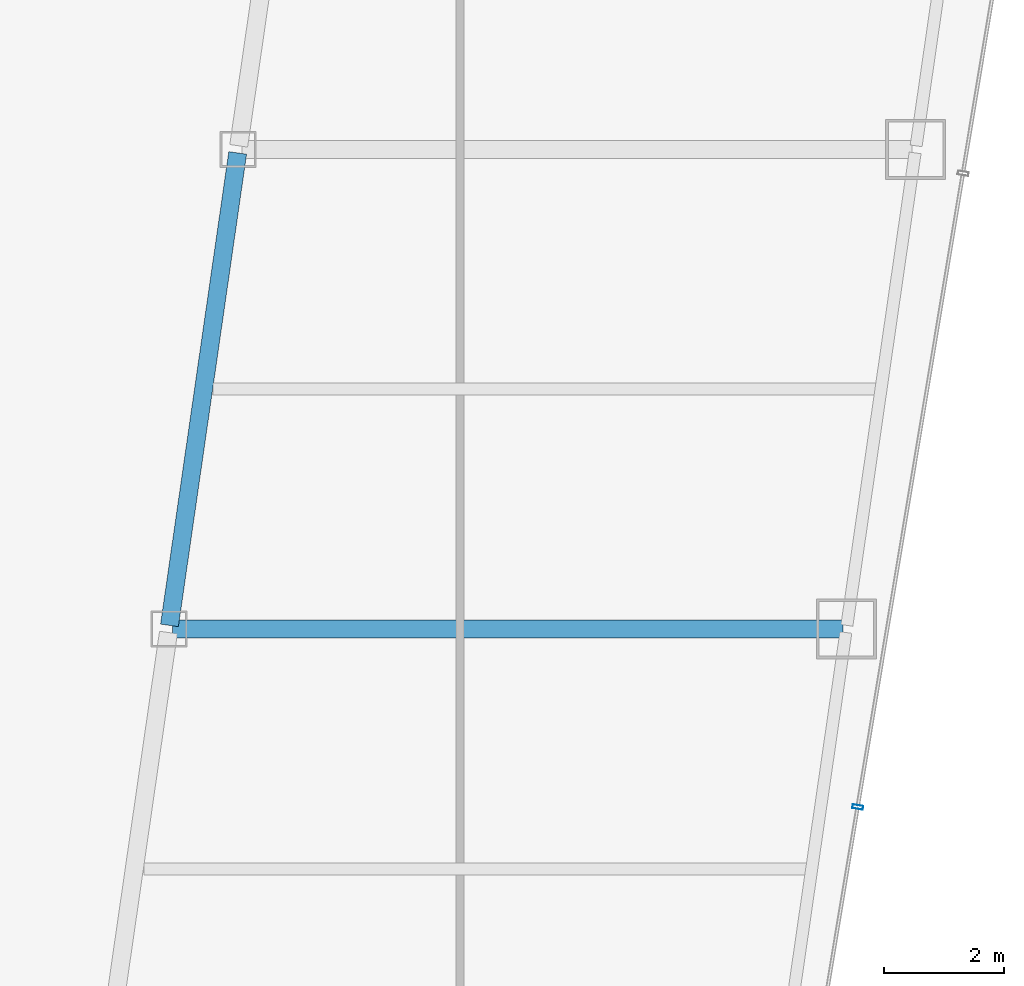
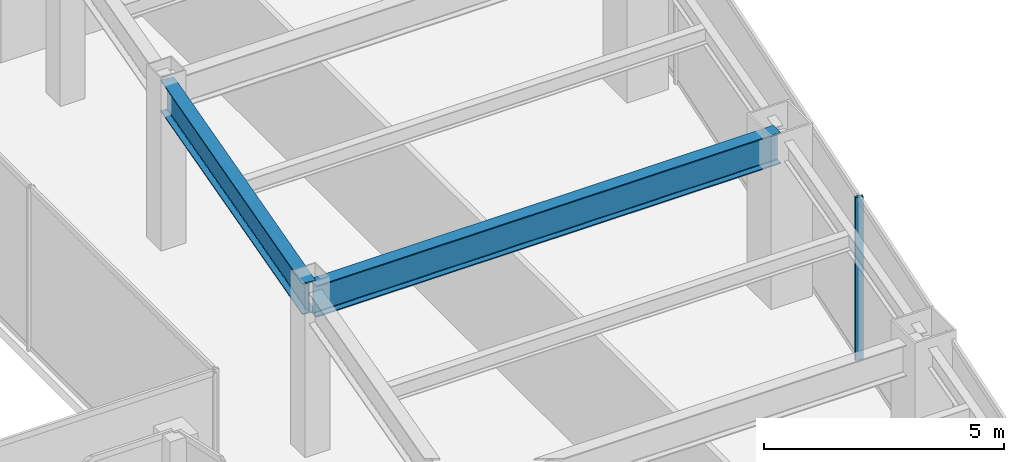
# One storey, part 17 of 37: 2 beams, 1 member, 1 element without a shape of its own.
"""IFC4 building model written with IfcOpenShell, lengths in metres."""

from ifc_helpers import new_model, si_unit, direction, frame, origin, origin_2d, place, context, subcontext, project, spatial, hollow_rectangle, i_section, extrude, material, material_profile, profile_set, type_object, element, aggregate, save


model = new_model("IFC4")

# Units and contexts
model_context = context("Model", 3, precision=1e-05, world=origin(), true_north=direction((0.0, 1.0)))
body_context = subcontext(model_context, "Body", "Model", "MODEL_VIEW")
ifc_project = project(units=[si_unit("LENGTHUNIT", "METRE"), si_unit("AREAUNIT", "SQUARE_METRE"), si_unit("VOLUMEUNIT", "CUBIC_METRE"), si_unit("PLANEANGLEUNIT", "RADIAN"), si_unit("MASSUNIT", "GRAM", prefix="KILO")], contexts=[model_context])

# Site, building, storey
site_placement = place(None, origin())
site = spatial("IfcSite", under=ifc_project, at=site_placement, CompositionType="ELEMENT")
building_placement = place(site_placement, origin())
building = spatial("IfcBuilding", under=site, at=building_placement, Name="Saevonmaru Cultural Tower", CompositionType="ELEMENT")
storey_placement = place(building_placement, frame((0.0, 0.0, 106.0)))
storey = spatial("IfcBuildingStorey", under=building, at=storey_placement, Name="L22", CompositionType="ELEMENT", Elevation=106.0)

# Beams
ifc_material_1 = material(Name="Steel SM420", Category="steel")
ifc_material_profile_1 = material_profile(ifc_material_1, i_section(OverallWidth=0.300048828125, OverallDepth=0.800048828125, WebThickness=0.013916015625, FlangeThickness=0.02587890625, FilletRadius=0.028076171875, at=origin_2d()), Name="H-800x300x14x26")
ifc_profile_set_1 = profile_set([ifc_material_profile_1], Name="Steel SM420")
beam_type = type_object("IfcBeamType", Name="BM-G-H800", PredefinedType="BEAM", material=ifc_profile_set_1)
beam_1_placement = place(storey_placement, frame((39.236572265625, 24.059326171875, 3.75), z_axis=(0.142902032203, 0.989736838353, 0.0), x_axis=(-0.989736838353, 0.142902032203, 0.0)))
element("IfcBeam", 1, at=beam_1_placement, inside=storey, type_object=beam_type, Name="L22 East Atrium Girder 3", PredefinedType="BEAM", context=body_context, shape_type="SweptSolid", body=[
    extrude(i_section(OverallWidth=0.300048828125, OverallDepth=0.800048828125, WebThickness=0.013916015625, FlangeThickness=0.02587890625, FilletRadius=0.028076171875, at=origin_2d()), origin(), (0.0, 0.0, 1.0), 7.963134765625),
])
beam_2_placement = place(storey_placement, frame((39.2880859375, 24.0, 3.75), z_axis=(1.0, 0.0, 0.0), x_axis=(0.0, 1.0, 0.0)))
element("IfcBeam", 2, at=beam_2_placement, inside=storey, type_object=beam_type, Name="L22 East Wing Transverse Girder 3", PredefinedType="BEAM", context=body_context, shape_type="SweptSolid", body=[
    extrude(i_section(OverallWidth=0.300048828125, OverallDepth=0.800048828125, WebThickness=0.013916015625, FlangeThickness=0.02587890625, FilletRadius=0.028076171875, at=origin_2d()), origin(), (0.0, 0.0, 1.0), 11.179931640625),
])

# Curtain wall, member
ifc_material_2 = material(Name="Satin Bronze Anodised Aluminium", Category="aluminium")
curtain_wall_type = type_object("IfcCurtainWallType", Name="CW-TYP-A", PredefinedType="NOTDEFINED", material=ifc_material_2)
curtain_wall_placement = place(storey_placement, origin())
curtain_wall = element("IfcCurtainWall", 3, at=curtain_wall_placement, inside=storey, type_object=curtain_wall_type, Name="L22 Unitised Curtain Wall E8", PredefinedType="NOTDEFINED")
ifc_material_profile_2 = material_profile(ifc_material_2, hollow_rectangle(XDim=0.06494140625, YDim=0.179931640625, WallThickness=0.00390625, at=origin_2d()), Name="ALU-MULL-180x65x4")
ifc_profile_set_2 = profile_set([ifc_material_profile_2], Name="Satin Bronze Anodised Aluminium")
member_type = type_object("IfcMemberType", Name="ML-CW-180x65", PredefinedType="MULLION", material=ifc_profile_set_2)
member_placement = place(storey_placement, frame((50.71826171875, 21.029541015625, 0.0), z_axis=(0.0, 0.0, 1.0), x_axis=(0.163998702345, 0.986460554523, 0.0)))
member = element("IfcMember", 4, at=member_placement, type_object=member_type, Name="CW-TW-L22-E8 mullion 2", PredefinedType="MULLION", context=body_context, shape_type="SweptSolid", body=[
    extrude(hollow_rectangle(XDim=0.06494140625, YDim=0.179931640625, WallThickness=0.00390625, at=origin_2d()), origin(), (0.0, 0.0, 1.0), 4.14990234375),
])
aggregate(curtain_wall, [member])

save(model, "model.ifc")
